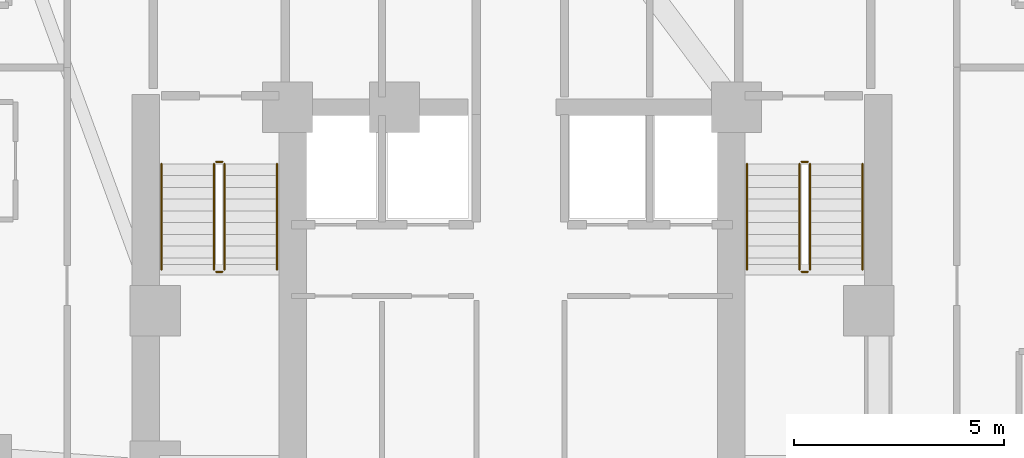
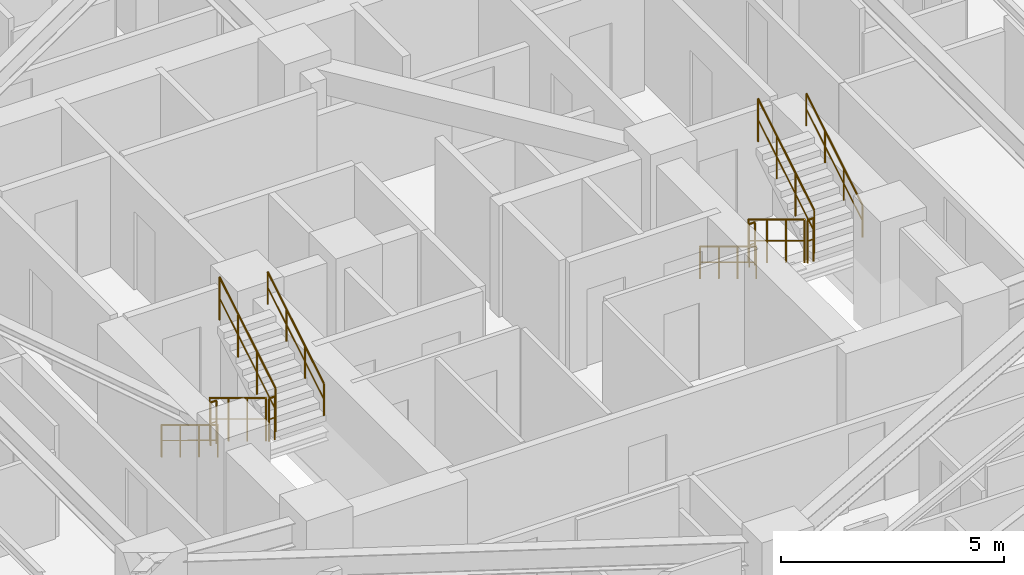
# One storey, part 13 of 13: 12 railings.
"""IFC4 building model written with IfcOpenShell, lengths in metres."""

from ifc_helpers import new_model, si_unit, direction, frame, origin, origin_2d, place, context, subcontext, project, spatial, circle, extrude, material, type_object, element, save


model = new_model("IFC4")

# Units and contexts
model_context = context("Model", 3, precision=1e-05, world=origin(), true_north=direction((0.0, 1.0)))
body_context = subcontext(model_context, "Body", "Model", "MODEL_VIEW")
ifc_project = project(units=[si_unit("LENGTHUNIT", "METRE"), si_unit("AREAUNIT", "SQUARE_METRE"), si_unit("VOLUMEUNIT", "CUBIC_METRE"), si_unit("PLANEANGLEUNIT", "RADIAN"), si_unit("MASSUNIT", "GRAM", prefix="KILO")], contexts=[model_context])

# Site, building, storey
site_placement = place(None, origin())
site = spatial("IfcSite", under=ifc_project, at=site_placement, CompositionType="ELEMENT")
building_placement = place(site_placement, origin())
building = spatial("IfcBuilding", under=site, at=building_placement, Name="Miruveldt Soraemaru", CompositionType="ELEMENT")
storey_placement = place(building_placement, frame((0.0, 0.0, 87.0)))
storey = spatial("IfcBuildingStorey", under=building, at=storey_placement, Name="L24", CompositionType="ELEMENT", Elevation=87.0)

# Railings
ifc_material = material(Name="Steel S355 (355 MPa)", Category="steel")
railing_type_1 = type_object("IfcRailingType", Name="RAIL-HR-900", PredefinedType="HANDRAIL", material=ifc_material)
railing_1_placement = place(storey_placement, frame((35.64990234375, 42.699951171875, 0.169921875)))
element("IfcRailing", 1, at=railing_1_placement, inside=storey, type_object=railing_type_1, Name="L24 ST-1 stair handrail 1", PredefinedType="HANDRAIL", context=body_context, shape_type="SweptSolid", body=[
    extrude(circle(Radius=0.02392578125, at=origin_2d()), frame((0.0, 0.0, 0.8759765625), z_axis=(0.0, -0.85478489116, 0.518982456201), x_axis=(1.0, 0.0, 0.0)), (0.0, 0.0, 1.0), 2.9482421875),
    extrude(circle(Radius=0.01611328125, at=origin_2d()), frame((0.0, 0.0, 0.449951171875), z_axis=(0.0, -0.85478489116, 0.518982456201), x_axis=(1.0, 0.0, 0.0)), (0.0, 0.0, 1.0), 2.9482421875),
    extrude(circle(Radius=0.02099609375, at=origin_2d()), origin(), (0.0, 0.0, 1.0), 0.851806640625),
    extrude(circle(Radius=0.02099609375, at=origin_2d()), frame((0.0, -0.840087890625, 0.510009765625)), (0.0, 0.0, 1.0), 0.851806640625),
    extrude(circle(Radius=0.02099609375, at=origin_2d()), frame((0.0, -1.679931640625, 1.02001953125)), (0.0, 0.0, 1.0), 0.851806640625),
    extrude(circle(Radius=0.02099609375, at=origin_2d()), frame((0.0, -2.52001953125, 1.530029296875)), (0.0, 0.0, 1.0), 0.851806640625),
])
railing_2_placement = place(storey_placement, frame((38.39990234375, 40.179931640625, 1.8701171875)))
element("IfcRailing", 2, at=railing_2_placement, inside=storey, type_object=railing_type_1, Name="L24 ST-1 stair handrail 2", PredefinedType="HANDRAIL", context=body_context, shape_type="SweptSolid", body=[
    extrude(circle(Radius=0.02392578125, at=origin_2d()), frame((0.0, 0.0, 0.8759765625), z_axis=(0.0, 0.854821627497, 0.518921945155), x_axis=(-1.0, 0.0, 0.0)), (0.0, 0.0, 1.0), 2.947998046875),
    extrude(circle(Radius=0.01611328125, at=origin_2d()), frame((0.0, 0.0, 0.449951171875), z_axis=(0.0, 0.854821627497, 0.518921945155), x_axis=(-1.0, 0.0, 0.0)), (0.0, 0.0, 1.0), 2.947998046875),
    extrude(circle(Radius=0.02099609375, at=origin_2d()), origin(), (0.0, 0.0, 1.0), 0.851806640625),
    extrude(circle(Radius=0.02099609375, at=origin_2d()), frame((0.0, 0.840087890625, 0.510009765625)), (0.0, 0.0, 1.0), 0.851806640625),
    extrude(circle(Radius=0.02099609375, at=origin_2d()), frame((0.0, 1.679931640625, 1.019775390625)), (0.0, 0.0, 1.0), 0.851806640625),
    extrude(circle(Radius=0.02099609375, at=origin_2d()), frame((0.0, 2.52001953125, 1.52978515625)), (0.0, 0.0, 1.0), 0.851806640625),
])
railing_3_placement = place(storey_placement, frame((49.60009765625, 42.699951171875, 0.169921875)))
element("IfcRailing", 3, at=railing_3_placement, inside=storey, type_object=railing_type_1, Name="L24 ST-2 stair handrail 1", PredefinedType="HANDRAIL", context=body_context, shape_type="SweptSolid", body=[
    extrude(circle(Radius=0.02392578125, at=origin_2d()), frame((0.0, 0.0, 0.8759765625), z_axis=(0.0, -0.85478489116, 0.518982456201), x_axis=(1.0, 0.0, 0.0)), (0.0, 0.0, 1.0), 2.9482421875),
    extrude(circle(Radius=0.01611328125, at=origin_2d()), frame((0.0, 0.0, 0.449951171875), z_axis=(0.0, -0.85478489116, 0.518982456201), x_axis=(1.0, 0.0, 0.0)), (0.0, 0.0, 1.0), 2.9482421875),
    extrude(circle(Radius=0.02099609375, at=origin_2d()), origin(), (0.0, 0.0, 1.0), 0.851806640625),
    extrude(circle(Radius=0.02099609375, at=origin_2d()), frame((0.0, -0.840087890625, 0.510009765625)), (0.0, 0.0, 1.0), 0.851806640625),
    extrude(circle(Radius=0.02099609375, at=origin_2d()), frame((0.0, -1.679931640625, 1.02001953125)), (0.0, 0.0, 1.0), 0.851806640625),
    extrude(circle(Radius=0.02099609375, at=origin_2d()), frame((0.0, -2.52001953125, 1.530029296875)), (0.0, 0.0, 1.0), 0.851806640625),
])
railing_4_placement = place(storey_placement, frame((52.35009765625, 40.179931640625, 1.8701171875)))
element("IfcRailing", 4, at=railing_4_placement, inside=storey, type_object=railing_type_1, Name="L24 ST-2 stair handrail 2", PredefinedType="HANDRAIL", context=body_context, shape_type="SweptSolid", body=[
    extrude(circle(Radius=0.02392578125, at=origin_2d()), frame((0.0, 0.0, 0.8759765625), z_axis=(0.0, 0.854821627497, 0.518921945155), x_axis=(-1.0, 0.0, 0.0)), (0.0, 0.0, 1.0), 2.947998046875),
    extrude(circle(Radius=0.01611328125, at=origin_2d()), frame((0.0, 0.0, 0.449951171875), z_axis=(0.0, 0.854821627497, 0.518921945155), x_axis=(-1.0, 0.0, 0.0)), (0.0, 0.0, 1.0), 2.947998046875),
    extrude(circle(Radius=0.02099609375, at=origin_2d()), origin(), (0.0, 0.0, 1.0), 0.851806640625),
    extrude(circle(Radius=0.02099609375, at=origin_2d()), frame((0.0, 0.840087890625, 0.510009765625)), (0.0, 0.0, 1.0), 0.851806640625),
    extrude(circle(Radius=0.02099609375, at=origin_2d()), frame((0.0, 1.679931640625, 1.019775390625)), (0.0, 0.0, 1.0), 0.851806640625),
    extrude(circle(Radius=0.02099609375, at=origin_2d()), frame((0.0, 2.52001953125, 1.52978515625)), (0.0, 0.0, 1.0), 0.851806640625),
])
railing_type_2 = type_object("IfcRailingType", Name="RAIL-STGUARD-1200", PredefinedType="GUARDRAIL", material=ifc_material)
railing_5_placement = place(storey_placement, frame((36.89990234375, 42.699951171875, 0.169921875)))
element("IfcRailing", 5, at=railing_5_placement, inside=storey, type_object=railing_type_2, Name="L24 ST-1 stair guard 1", PredefinedType="GUARDRAIL", context=body_context, shape_type="SweptSolid", body=[
    extrude(circle(Radius=0.02392578125, at=origin_2d()), frame((0.0, 0.0, 1.17578125), z_axis=(0.0, -0.85478489116, 0.518982456201), x_axis=(1.0, 0.0, 0.0)), (0.0, 0.0, 1.0), 2.9482421875),
    extrude(circle(Radius=0.01611328125, at=origin_2d()), frame((0.0, 0.0, 0.60009765625), z_axis=(0.0, -0.85478489116, 0.518982456201), x_axis=(1.0, 0.0, 0.0)), (0.0, 0.0, 1.0), 2.9482421875),
    extrude(circle(Radius=0.02099609375, at=origin_2d()), origin(), (0.0, 0.0, 1.0), 1.15185546875),
    extrude(circle(Radius=0.02099609375, at=origin_2d()), frame((0.0, -0.840087890625, 0.510009765625)), (0.0, 0.0, 1.0), 1.15185546875),
    extrude(circle(Radius=0.02099609375, at=origin_2d()), frame((0.0, -1.679931640625, 1.02001953125)), (0.0, 0.0, 1.0), 1.15185546875),
    extrude(circle(Radius=0.02099609375, at=origin_2d()), frame((0.0, -2.52001953125, 1.530029296875)), (0.0, 0.0, 1.0), 1.15185546875),
])
railing_6_placement = place(storey_placement, frame((36.949951171875, 40.1298828125, 1.699951171875)))
element("IfcRailing", 6, at=railing_6_placement, inside=storey, type_object=railing_type_2, Name="L24 ST-1 stair guard 2", PredefinedType="GUARDRAIL", context=body_context, shape_type="SweptSolid", body=[
    extrude(circle(Radius=0.02392578125, at=origin_2d()), frame((0.0, 0.0, 1.17578125), z_axis=(1.0, 0.0, 0.0), x_axis=(0.0, 1.0, 0.0)), (0.0, 0.0, 1.0), 0.150146484375),
    extrude(circle(Radius=0.01611328125, at=origin_2d()), frame((0.0, 0.0, 0.60009765625), z_axis=(1.0, 0.0, 0.0), x_axis=(0.0, 1.0, 0.0)), (0.0, 0.0, 1.0), 0.150146484375),
    extrude(circle(Radius=0.02099609375, at=origin_2d()), origin(), (0.0, 0.0, 1.0), 1.15185546875),
    extrude(circle(Radius=0.02099609375, at=origin_2d()), frame((0.150146484375, 0.0, 0.0)), (0.0, 0.0, 1.0), 1.15185546875),
])
railing_7_placement = place(storey_placement, frame((37.14990234375, 40.179931640625, 1.8701171875)))
element("IfcRailing", 7, at=railing_7_placement, inside=storey, type_object=railing_type_2, Name="L24 ST-1 stair guard 3", PredefinedType="GUARDRAIL", context=body_context, shape_type="SweptSolid", body=[
    extrude(circle(Radius=0.02392578125, at=origin_2d()), frame((0.0, 0.0, 1.17578125), z_axis=(0.0, 0.854821627497, 0.518921945155), x_axis=(-1.0, 0.0, 0.0)), (0.0, 0.0, 1.0), 2.947998046875),
    extrude(circle(Radius=0.01611328125, at=origin_2d()), frame((0.0, 0.0, 0.60009765625), z_axis=(0.0, 0.854821627497, 0.518921945155), x_axis=(-1.0, 0.0, 0.0)), (0.0, 0.0, 1.0), 2.947998046875),
    extrude(circle(Radius=0.02099609375, at=origin_2d()), origin(), (0.0, 0.0, 1.0), 1.15185546875),
    extrude(circle(Radius=0.02099609375, at=origin_2d()), frame((0.0, 0.840087890625, 0.510009765625)), (0.0, 0.0, 1.0), 1.15185546875),
    extrude(circle(Radius=0.02099609375, at=origin_2d()), frame((0.0, 1.679931640625, 1.019775390625)), (0.0, 0.0, 1.0), 1.15185546875),
    extrude(circle(Radius=0.02099609375, at=origin_2d()), frame((0.0, 2.52001953125, 1.52978515625)), (0.0, 0.0, 1.0), 1.15185546875),
])
railing_8_placement = place(storey_placement, frame((36.949951171875, 42.75, 0.0)))
element("IfcRailing", 8, at=railing_8_placement, inside=storey, type_object=railing_type_2, Name="L24 ST-1 stair guard 4", PredefinedType="GUARDRAIL", context=body_context, shape_type="SweptSolid", body=[
    extrude(circle(Radius=0.02392578125, at=origin_2d()), frame((0.0, 0.0, 1.17578125), z_axis=(1.0, 0.0, 0.0), x_axis=(0.0, 1.0, 0.0)), (0.0, 0.0, 1.0), 0.150146484375),
    extrude(circle(Radius=0.01611328125, at=origin_2d()), frame((0.0, 0.0, 0.60009765625), z_axis=(1.0, 0.0, 0.0), x_axis=(0.0, 1.0, 0.0)), (0.0, 0.0, 1.0), 0.150146484375),
    extrude(circle(Radius=0.02099609375, at=origin_2d()), origin(), (0.0, 0.0, 1.0), 1.15185546875),
    extrude(circle(Radius=0.02099609375, at=origin_2d()), frame((0.150146484375, 0.0, 0.0)), (0.0, 0.0, 1.0), 1.15185546875),
])
railing_9_placement = place(storey_placement, frame((50.85009765625, 42.699951171875, 0.169921875)))
element("IfcRailing", 9, at=railing_9_placement, inside=storey, type_object=railing_type_2, Name="L24 ST-2 stair guard 1", PredefinedType="GUARDRAIL", context=body_context, shape_type="SweptSolid", body=[
    extrude(circle(Radius=0.02392578125, at=origin_2d()), frame((0.0, 0.0, 1.17578125), z_axis=(0.0, -0.85478489116, 0.518982456201), x_axis=(1.0, 0.0, 0.0)), (0.0, 0.0, 1.0), 2.9482421875),
    extrude(circle(Radius=0.01611328125, at=origin_2d()), frame((0.0, 0.0, 0.60009765625), z_axis=(0.0, -0.85478489116, 0.518982456201), x_axis=(1.0, 0.0, 0.0)), (0.0, 0.0, 1.0), 2.9482421875),
    extrude(circle(Radius=0.02099609375, at=origin_2d()), origin(), (0.0, 0.0, 1.0), 1.15185546875),
    extrude(circle(Radius=0.02099609375, at=origin_2d()), frame((0.0, -0.840087890625, 0.510009765625)), (0.0, 0.0, 1.0), 1.15185546875),
    extrude(circle(Radius=0.02099609375, at=origin_2d()), frame((0.0, -1.679931640625, 1.02001953125)), (0.0, 0.0, 1.0), 1.15185546875),
    extrude(circle(Radius=0.02099609375, at=origin_2d()), frame((0.0, -2.52001953125, 1.530029296875)), (0.0, 0.0, 1.0), 1.15185546875),
])
railing_10_placement = place(storey_placement, frame((50.89990234375, 40.1298828125, 1.699951171875)))
element("IfcRailing", 10, at=railing_10_placement, inside=storey, type_object=railing_type_2, Name="L24 ST-2 stair guard 2", PredefinedType="GUARDRAIL", context=body_context, shape_type="SweptSolid", body=[
    extrude(circle(Radius=0.02392578125, at=origin_2d()), frame((0.0, 0.0, 1.17578125), z_axis=(1.0, 0.0, 0.0), x_axis=(0.0, 1.0, 0.0)), (0.0, 0.0, 1.0), 0.150146484375),
    extrude(circle(Radius=0.01611328125, at=origin_2d()), frame((0.0, 0.0, 0.60009765625), z_axis=(1.0, 0.0, 0.0), x_axis=(0.0, 1.0, 0.0)), (0.0, 0.0, 1.0), 0.150146484375),
    extrude(circle(Radius=0.02099609375, at=origin_2d()), origin(), (0.0, 0.0, 1.0), 1.15185546875),
    extrude(circle(Radius=0.02099609375, at=origin_2d()), frame((0.150146484375, 0.0, 0.0)), (0.0, 0.0, 1.0), 1.15185546875),
])
railing_11_placement = place(storey_placement, frame((51.10009765625, 40.179931640625, 1.8701171875)))
element("IfcRailing", 11, at=railing_11_placement, inside=storey, type_object=railing_type_2, Name="L24 ST-2 stair guard 3", PredefinedType="GUARDRAIL", context=body_context, shape_type="SweptSolid", body=[
    extrude(circle(Radius=0.02392578125, at=origin_2d()), frame((0.0, 0.0, 1.17578125), z_axis=(0.0, 0.854821627497, 0.518921945155), x_axis=(-1.0, 0.0, 0.0)), (0.0, 0.0, 1.0), 2.947998046875),
    extrude(circle(Radius=0.01611328125, at=origin_2d()), frame((0.0, 0.0, 0.60009765625), z_axis=(0.0, 0.854821627497, 0.518921945155), x_axis=(-1.0, 0.0, 0.0)), (0.0, 0.0, 1.0), 2.947998046875),
    extrude(circle(Radius=0.02099609375, at=origin_2d()), origin(), (0.0, 0.0, 1.0), 1.15185546875),
    extrude(circle(Radius=0.02099609375, at=origin_2d()), frame((0.0, 0.840087890625, 0.510009765625)), (0.0, 0.0, 1.0), 1.15185546875),
    extrude(circle(Radius=0.02099609375, at=origin_2d()), frame((0.0, 1.679931640625, 1.019775390625)), (0.0, 0.0, 1.0), 1.15185546875),
    extrude(circle(Radius=0.02099609375, at=origin_2d()), frame((0.0, 2.52001953125, 1.52978515625)), (0.0, 0.0, 1.0), 1.15185546875),
])
railing_12_placement = place(storey_placement, frame((50.89990234375, 42.75, 0.0)))
element("IfcRailing", 12, at=railing_12_placement, inside=storey, type_object=railing_type_2, Name="L24 ST-2 stair guard 4", PredefinedType="GUARDRAIL", context=body_context, shape_type="SweptSolid", body=[
    extrude(circle(Radius=0.02392578125, at=origin_2d()), frame((0.0, 0.0, 1.17578125), z_axis=(1.0, 0.0, 0.0), x_axis=(0.0, 1.0, 0.0)), (0.0, 0.0, 1.0), 0.150146484375),
    extrude(circle(Radius=0.01611328125, at=origin_2d()), frame((0.0, 0.0, 0.60009765625), z_axis=(1.0, 0.0, 0.0), x_axis=(0.0, 1.0, 0.0)), (0.0, 0.0, 1.0), 0.150146484375),
    extrude(circle(Radius=0.02099609375, at=origin_2d()), origin(), (0.0, 0.0, 1.0), 1.15185546875),
    extrude(circle(Radius=0.02099609375, at=origin_2d()), frame((0.150146484375, 0.0, 0.0)), (0.0, 0.0, 1.0), 1.15185546875),
])

save(model, "model.ifc")
